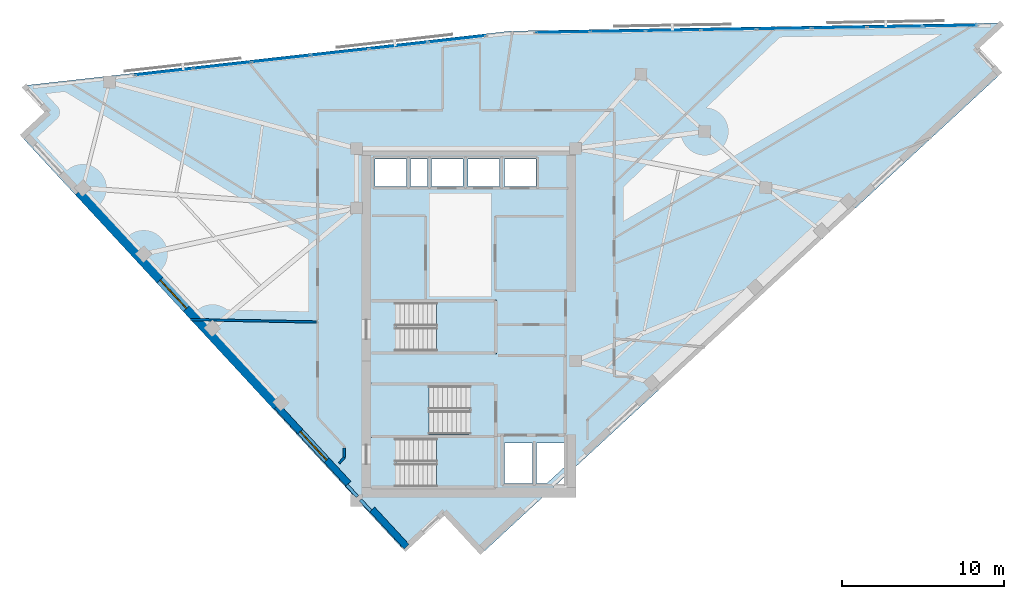
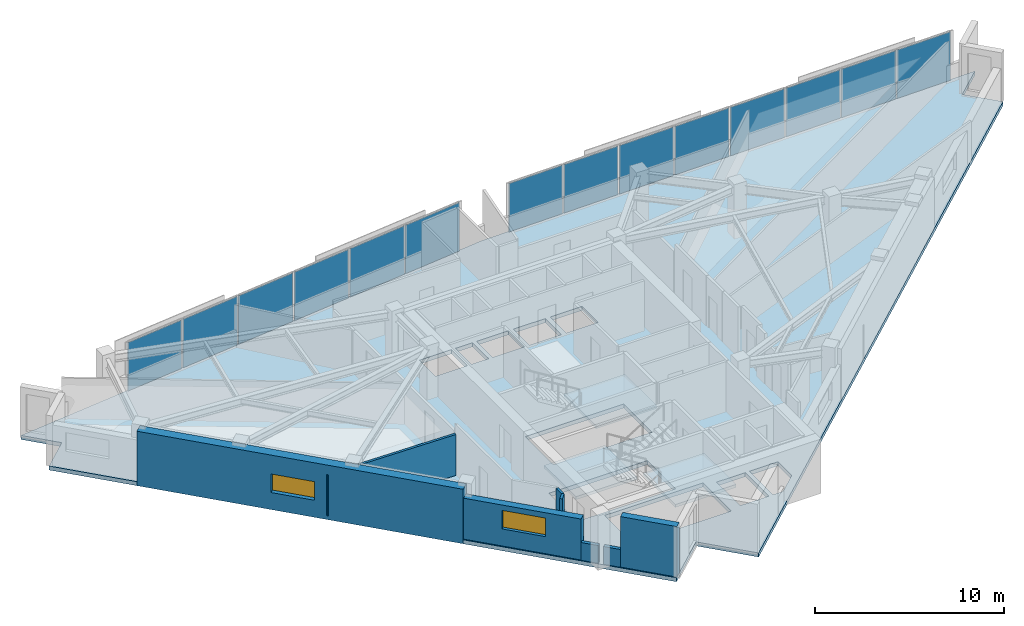
# One storey, part 7 of 13: 14 plates, 8 walls, 4 slabs, 2 windows, 2 openings, 5 elements without a shape of their own.
"""IFC4 building model written with IfcOpenShell, lengths in metres."""

from ifc_helpers import new_model, si_unit, direction, frame, frame_2d, origin, origin_2d, place, context, subcontext, project, spatial, polyline, rectangle, outline, extrude, material, layer, layer_set, type_object, element, fill, aggregate, save


model = new_model("IFC4")

# Units and contexts
model_context = context("Model", 3, precision=1e-05, world=origin(), true_north=direction((0.0, 1.0)))
body_context = subcontext(model_context, "Body", "Model", "MODEL_VIEW")
ifc_project = project(units=[si_unit("LENGTHUNIT", "METRE"), si_unit("AREAUNIT", "SQUARE_METRE"), si_unit("VOLUMEUNIT", "CUBIC_METRE"), si_unit("PLANEANGLEUNIT", "RADIAN"), si_unit("MASSUNIT", "GRAM", prefix="KILO")], contexts=[model_context])

# Site, building, storey
site_placement = place(None, origin())
site = spatial("IfcSite", under=ifc_project, at=site_placement, CompositionType="ELEMENT")
building_placement = place(site_placement, origin())
building = spatial("IfcBuilding", under=site, at=building_placement, Name="Narakoshi Arena Tower", CompositionType="ELEMENT")
storey_placement = place(building_placement, frame((0.0, 0.0, 274.820068359375)))
storey = spatial("IfcBuildingStorey", under=building, at=storey_placement, Name="L75", CompositionType="ELEMENT", Elevation=274.820068359375)

# Curtain wall, plates
ifc_material_1 = material(Name="Anodised bronze aluminium 6063-T6", Category="aluminium")
curtain_wall_type = type_object("IfcCurtainWallType", Name="CW-HYP-HIGH", PredefinedType="NOTDEFINED", material=ifc_material_1)
curtain_wall_1_placement = place(storey_placement, origin())
curtain_wall_1 = element("IfcCurtainWall", 1, at=curtain_wall_1_placement, inside=storey, type_object=curtain_wall_type, Name="L75 Folded Hypotenuse Curtain Wall 1-1", PredefinedType="NOTDEFINED")
ifc_material_2 = material(Name="Bronze-tinted low-E laminated glass", Category="glass")
ifc_layer_1 = layer(ifc_material_2, 0.0439453125)
ifc_layer_set_1 = layer_set([ifc_layer_1], Name="Bronze-tinted low-E laminated glass")
plate_type = type_object("IfcPlateType", Name="PLT-GLZ-44", PredefinedType="CURTAIN_PANEL", material=ifc_layer_set_1)
plate_1_placement = place(storey_placement, frame((108.725341796875, 64.08984375, 0.06494140625), z_axis=(0.0, 0.0, 1.0), x_axis=(-0.999864804777, -0.016442997569, 0.0)))
plate_1 = element("IfcPlate", 2, at=plate_1_placement, type_object=plate_type, Name="CW-03 panel 1.1", PredefinedType="CURTAIN_PANEL", context=body_context, shape_type="SweptSolid", body=[
    extrude(rectangle(XDim=3.307861328125, YDim=0.0439453125, at=origin_2d()), origin(), (0.0, 0.0, 1.0), 3.1298828125),
])
plate_2_placement = place(storey_placement, frame((105.31787109375, 64.033935546875, 0.06494140625), z_axis=(0.0, 0.0, 1.0), x_axis=(-0.999864804777, -0.016442997569, 0.0)))
plate_2 = element("IfcPlate", 3, at=plate_2_placement, type_object=plate_type, Name="CW-03 panel 2.1", PredefinedType="CURTAIN_PANEL", context=body_context, shape_type="SweptSolid", body=[
    extrude(rectangle(XDim=3.34765625, YDim=0.0439453125, at=origin_2d()), origin(), (0.0, 0.0, 1.0), 3.1298828125),
])
plate_3_placement = place(storey_placement, frame((101.890625, 63.9775390625, 0.06494140625), z_axis=(0.0, 0.0, 1.0), x_axis=(-0.999864804777, -0.016442997569, 0.0)))
plate_3 = element("IfcPlate", 4, at=plate_3_placement, type_object=plate_type, Name="CW-03 panel 3.1", PredefinedType="CURTAIN_PANEL", context=body_context, shape_type="SweptSolid", body=[
    extrude(rectangle(XDim=3.34765625, YDim=0.0439453125, at=origin_2d()), origin(), (0.0, 0.0, 1.0), 3.1298828125),
])
plate_4_placement = place(storey_placement, frame((98.46337890625, 63.921142578125, 0.06494140625), z_axis=(0.0, 0.0, 1.0), x_axis=(-0.999864804777, -0.016442997569, 0.0)))
plate_4 = element("IfcPlate", 5, at=plate_4_placement, type_object=plate_type, Name="CW-03 panel 4.1", PredefinedType="CURTAIN_PANEL", context=body_context, shape_type="SweptSolid", body=[
    extrude(rectangle(XDim=3.34765625, YDim=0.0439453125, at=origin_2d()), origin(), (0.0, 0.0, 1.0), 3.1298828125),
])
plate_5_placement = place(storey_placement, frame((95.0361328125, 63.86474609375, 0.06494140625), z_axis=(0.0, 0.0, 1.0), x_axis=(-0.999864804777, -0.016442997569, 0.0)))
plate_5 = element("IfcPlate", 6, at=plate_5_placement, type_object=plate_type, Name="CW-03 panel 5.1", PredefinedType="CURTAIN_PANEL", context=body_context, shape_type="SweptSolid", body=[
    extrude(rectangle(XDim=3.34765625, YDim=0.0439453125, at=origin_2d()), origin(), (0.0, 0.0, 1.0), 3.1298828125),
])
plate_6_placement = place(storey_placement, frame((91.60888671875, 63.808349609375, 0.06494140625), z_axis=(0.0, 0.0, 1.0), x_axis=(-0.999864804777, -0.016442997569, 0.0)))
plate_6 = element("IfcPlate", 7, at=plate_6_placement, type_object=plate_type, Name="CW-03 panel 6.1", PredefinedType="CURTAIN_PANEL", context=body_context, shape_type="SweptSolid", body=[
    extrude(rectangle(XDim=3.34765625, YDim=0.0439453125, at=origin_2d()), origin(), (0.0, 0.0, 1.0), 3.1298828125),
])
plate_7_placement = place(storey_placement, frame((88.181640625, 63.751953125, 0.06494140625), z_axis=(0.0, 0.0, 1.0), x_axis=(-0.999864804777, -0.016442997569, 0.0)))
plate_7 = element("IfcPlate", 8, at=plate_7_placement, type_object=plate_type, Name="CW-03 panel 7.1", PredefinedType="CURTAIN_PANEL", context=body_context, shape_type="SweptSolid", body=[
    extrude(rectangle(XDim=3.34765625, YDim=0.0439453125, at=origin_2d()), origin(), (0.0, 0.0, 1.0), 3.1298828125),
])
plate_8_placement = place(storey_placement, frame((84.774169921875, 63.696044921875, 0.06494140625), z_axis=(0.0, 0.0, 1.0), x_axis=(-0.999864804777, -0.016442997569, 0.0)))
plate_8 = element("IfcPlate", 9, at=plate_8_placement, type_object=plate_type, Name="CW-03 panel 8.1", PredefinedType="CURTAIN_PANEL", context=body_context, shape_type="SweptSolid", body=[
    extrude(rectangle(XDim=3.307861328125, YDim=0.0439453125, at=origin_2d()), origin(), (0.0, 0.0, 1.0), 3.1298828125),
])
aggregate(curtain_wall_1, [plate_1, plate_2, plate_3, plate_4, plate_5, plate_6, plate_7, plate_8])

curtain_wall_2_placement = place(storey_placement, origin())
curtain_wall_2 = element("IfcCurtainWall", 10, at=curtain_wall_2_placement, inside=storey, type_object=curtain_wall_type, Name="L75 Folded Hypotenuse Curtain Wall 2-1", PredefinedType="NOTDEFINED")
plate_9_placement = place(storey_placement, frame((78.222900390625, 63.2705078125, 0.06494140625), z_axis=(0.0, 0.0, 1.0), x_axis=(-0.9937760415, -0.111396496086, 0.0)))
plate_9 = element("IfcPlate", 11, at=plate_9_placement, type_object=plate_type, Name="CW-03 panel 1.1", PredefinedType="CURTAIN_PANEL", context=body_context, shape_type="SweptSolid", body=[
    extrude(rectangle(XDim=3.540283203125, YDim=0.0439453125, at=origin_2d()), origin(), (0.0, 0.0, 1.0), 3.1298828125),
])
plate_10_placement = place(storey_placement, frame((74.605224609375, 62.864990234375, 0.06494140625), z_axis=(0.0, 0.0, 1.0), x_axis=(-0.9937760415, -0.111396496086, 0.0)))
plate_10 = element("IfcPlate", 12, at=plate_10_placement, type_object=plate_type, Name="CW-03 panel 2.1", PredefinedType="CURTAIN_PANEL", context=body_context, shape_type="SweptSolid", body=[
    extrude(rectangle(XDim=3.580322265625, YDim=0.0439453125, at=origin_2d()), origin(), (0.0, 0.0, 1.0), 3.1298828125),
])
plate_11_placement = place(storey_placement, frame((70.967529296875, 62.45703125, 0.06494140625), z_axis=(0.0, 0.0, 1.0), x_axis=(-0.9937760415, -0.111396496086, 0.0)))
plate_11 = element("IfcPlate", 13, at=plate_11_placement, type_object=plate_type, Name="CW-03 panel 3.1", PredefinedType="CURTAIN_PANEL", context=body_context, shape_type="SweptSolid", body=[
    extrude(rectangle(XDim=3.580322265625, YDim=0.0439453125, at=origin_2d()), origin(), (0.0, 0.0, 1.0), 3.1298828125),
])
plate_12_placement = place(storey_placement, frame((67.330078125, 62.04931640625, 0.06494140625), z_axis=(0.0, 0.0, 1.0), x_axis=(-0.9937760415, -0.111396496086, 0.0)))
plate_12 = element("IfcPlate", 14, at=plate_12_placement, type_object=plate_type, Name="CW-03 panel 4.1", PredefinedType="CURTAIN_PANEL", context=body_context, shape_type="SweptSolid", body=[
    extrude(rectangle(XDim=3.580322265625, YDim=0.0439453125, at=origin_2d()), origin(), (0.0, 0.0, 1.0), 3.1298828125),
])
plate_13_placement = place(storey_placement, frame((63.6923828125, 61.6416015625, 0.06494140625), z_axis=(0.0, 0.0, 1.0), x_axis=(-0.9937760415, -0.111396496086, 0.0)))
plate_13 = element("IfcPlate", 15, at=plate_13_placement, type_object=plate_type, Name="CW-03 panel 5.1", PredefinedType="CURTAIN_PANEL", context=body_context, shape_type="SweptSolid", body=[
    extrude(rectangle(XDim=3.580322265625, YDim=0.0439453125, at=origin_2d()), origin(), (0.0, 0.0, 1.0), 3.1298828125),
])
plate_14_placement = place(storey_placement, frame((60.07470703125, 61.236083984375, 0.06494140625), z_axis=(0.0, 0.0, 1.0), x_axis=(-0.9937760415, -0.111396496086, 0.0)))
plate_14 = element("IfcPlate", 16, at=plate_14_placement, type_object=plate_type, Name="CW-03 panel 6.1", PredefinedType="CURTAIN_PANEL", context=body_context, shape_type="SweptSolid", body=[
    extrude(rectangle(XDim=3.540283203125, YDim=0.0439453125, at=origin_2d()), origin(), (0.0, 0.0, 1.0), 3.1298828125),
])
aggregate(curtain_wall_2, [plate_9, plate_10, plate_11, plate_12, plate_13, plate_14])

# Stair, slab
ifc_material_3 = material(Name="Concrete C45/55", Category="concrete")
stair_type = type_object("IfcStairType", Name="STR-CORE-352", PredefinedType="TWO_STRAIGHT_RUN_STAIR", material=ifc_material_3)
stair_1_placement = place(storey_placement, origin())
stair_1 = element("IfcStair", 17, at=stair_1_placement, inside=storey, type_object=stair_type, Name="L75 Core Escape Stair ST1", PredefinedType="TWO_STRAIGHT_RUN_STAIR")
ifc_layer_2 = layer(ifc_material_3, 0.18994140625)
ifc_layer_set_2 = layer_set([ifc_layer_2], Name="Concrete C45/55")
slab_type_1 = type_object("IfcSlabType", Name="SLB-LND-190", PredefinedType="LANDING", material=ifc_layer_set_2)
slab_1_placement = place(storey_placement, frame((0.0, 0.0, 1.56982421875)))
slab_1 = element("IfcSlab", 18, at=slab_1_placement, type_object=slab_type_1, Name="ST1 landing 1", PredefinedType="LANDING", context=body_context, shape_type="SweptSolid", body=[
    extrude(outline(polyline([(76.965087890625, 35.3701171875), (80.679931640625, 35.3701171875), (80.679931640625, 38.72998046875), (76.965087890625, 38.72998046875), (76.965087890625, 35.3701171875)])), origin(), (0.0, 0.0, 1.0), 0.190185546875),
])
aggregate(stair_1, [slab_1])

stair_2_placement = place(storey_placement, origin())
stair_2 = element("IfcStair", 19, at=stair_2_placement, inside=storey, type_object=stair_type, Name="L75 Core Escape Stair ST2", PredefinedType="TWO_STRAIGHT_RUN_STAIR")
slab_2_placement = place(storey_placement, frame((0.0, 0.0, 1.56982421875)))
slab_2 = element("IfcSlab", 20, at=slab_2_placement, type_object=slab_type_1, Name="ST2 landing 1", PredefinedType="LANDING", context=body_context, shape_type="SweptSolid", body=[
    extrude(outline(polyline([(72.77001953125, 38.6201171875), (76.485107421875, 38.6201171875), (76.485107421875, 41.97998046875), (72.77001953125, 41.97998046875), (72.77001953125, 38.6201171875)])), origin(), (0.0, 0.0, 1.0), 0.190185546875),
])
aggregate(stair_2, [slab_2])

stair_3_placement = place(storey_placement, origin())
stair_3 = element("IfcStair", 21, at=stair_3_placement, inside=storey, type_object=stair_type, Name="L75 Core Escape Stair ST3", PredefinedType="TWO_STRAIGHT_RUN_STAIR")
slab_3_placement = place(storey_placement, frame((0.0, 0.0, 1.56982421875)))
slab_3 = element("IfcSlab", 22, at=slab_3_placement, type_object=slab_type_1, Name="ST3 landing 1", PredefinedType="LANDING", context=body_context, shape_type="SweptSolid", body=[
    extrude(outline(polyline([(76.965087890625, 43.77001953125), (80.679931640625, 43.77001953125), (80.679931640625, 47.1298828125), (76.965087890625, 47.1298828125), (76.965087890625, 43.77001953125)])), origin(), (0.0, 0.0, 1.0), 0.190185546875),
])
aggregate(stair_3, [slab_3])

# Slab
ifc_material_4 = material(Name="Concrete C50/60", Category="concrete")
ifc_layer_3 = layer(ifc_material_4, 0.260009765625)
ifc_layer_set_3 = layer_set([ifc_layer_3], Name="Concrete C50/60")
slab_type_2 = type_object("IfcSlabType", Name="SLB-SKY-260", PredefinedType="FLOOR", material=ifc_layer_set_3)
slab_4_placement = place(storey_placement, frame((0.0, 0.0, -0.260009765625)))
element("IfcSlab", 23, at=slab_4_placement, inside=storey, type_object=slab_type_2, Name="L75 Structural Floor Slab", PredefinedType="FLOOR", context=body_context, shape_type="SweptSolid", body=[
    extrude(outline(polyline([(79.8056640625, 31.47216796875), (111.83154296875, 61.076416015625), (110.30078125, 62.732421875), (111.956787109375, 64.26318359375), (81.538818359375, 63.7626953125), (51.42333984375, 60.38720703125), (52.9541015625, 58.731201171875), (51.298095703125, 57.200439453125), (74.9033203125, 31.664794921875), (77.45068359375, 34.01953125), (79.8056640625, 31.47216796875)]), holes=[polyline([(80.5, 35.550048828125), (74.47998046875, 35.550048828125), (74.47998046875, 38.550048828125), (80.5, 38.550048828125), (80.5, 35.550048828125)]), polyline([(82.89990234375, 35.75), (81.14990234375, 35.75), (81.14990234375, 38.25), (82.89990234375, 38.25), (82.89990234375, 35.75)]), polyline([(84.89990234375, 36.794189453125), (83.7705078125, 35.75), (83.14990234375, 35.75), (83.14990234375, 38.25), (84.89990234375, 38.25), (84.89990234375, 36.794189453125)]), polyline([(72.949951171875, 38.800048828125), (72.949951171875, 41.800048828125), (78.969970703125, 41.800048828125), (78.969970703125, 38.800048828125), (72.949951171875, 38.800048828125)]), polyline([(74.47998046875, 43.949951171875), (74.47998046875, 46.949951171875), (80.5, 46.949951171875), (80.5, 43.949951171875), (74.47998046875, 43.949951171875)]), polyline([(75.10009765625, 54.14990234375), (73.14990234375, 54.14990234375), (73.14990234375, 55.85009765625), (75.10009765625, 55.85009765625), (75.10009765625, 54.14990234375)]), polyline([(76.39990234375, 54.14990234375), (75.35009765625, 54.14990234375), (75.35009765625, 55.85009765625), (76.39990234375, 55.85009765625), (76.39990234375, 54.14990234375)]), polyline([(78.60009765625, 54.14990234375), (76.64990234375, 54.14990234375), (76.64990234375, 55.85009765625), (78.60009765625, 55.85009765625), (78.60009765625, 54.14990234375)]), polyline([(78.89990234375, 54.14990234375), (78.89990234375, 55.85009765625), (80.85009765625, 55.85009765625), (80.85009765625, 54.14990234375), (78.89990234375, 54.14990234375)]), polyline([(81.14990234375, 54.14990234375), (81.14990234375, 55.85009765625), (83.10009765625, 55.85009765625), (83.10009765625, 54.14990234375), (81.14990234375, 54.14990234375)])]), origin(), (0.0, 0.0, 1.0), 0.260009765625),
])

# Wall, opening, window
ifc_layer_4 = layer(ifc_material_4, 0.550048828125)
ifc_layer_set_4 = layer_set([ifc_layer_4], Name="Concrete C50/60")
wall_type_1 = type_object("IfcWallType", Name="WL-LEG-550", PredefinedType="SHEAR", material=ifc_layer_set_4)
wall_1_placement = place(storey_placement, frame((54.804931640625, 53.81201171875, -0.260009765625), z_axis=(0.0, 0.0, 1.0), x_axis=(0.678803115619, -0.734320318543, 0.0)))
wall_1 = element("IfcWall", 24, at=wall_1_placement, inside=storey, type_object=wall_type_1, Name="L75 Architectural Concrete Structural Wall LEGB-2", PredefinedType="SHEAR", context=body_context, shape_type="SweptSolid", body=[
    extrude(rectangle(XDim=18.082763671875, YDim=0.550048828125, at=frame_2d((9.04150390625, 0.0))), origin(), (0.0, 0.0, 1.0), 3.52001953125),
])
opening_1_placement = place(wall_1_placement, frame((7.434326171875, 0.0, 1.10009765625)))
opening_1 = element("IfcOpeningElement", 25, at=opening_1_placement, cuts=wall_1, Name="Opening WN-04", PredefinedType="OPENING", context=body_context, shape_type="SweptSolid", body=[
    extrude(rectangle(XDim=2.39990234375, YDim=1.199951171875, at=frame_2d((1.199951171875, 0.60009765625))), frame((0.0, 0.284912109375, 0.0), z_axis=(0.0, -1.0, 0.0), x_axis=(1.0, 0.0, 0.0)), (0.0, 0.0, 1.0), 0.570068359375),
])
window_type = type_object("IfcWindowType", Name="WIN-SLT-24x12", PartitioningType="SINGLE_PANEL", PredefinedType="WINDOW", material=ifc_material_2)
window_1_placement = place(opening_1_placement, origin())
window_1 = element("IfcWindow", 26, at=window_1_placement, inside=storey, type_object=window_type, Name="L75 LEGB2 Horizontal Slot Window 1", OverallHeight=1.199951171875, OverallWidth=2.39990234375, PartitioningType="SINGLE_PANEL", PredefinedType="WINDOW", context=body_context, shape_type="SweptSolid", body=[
    extrude(rectangle(XDim=2.39990234375, YDim=1.199951171875, at=frame_2d((1.199951171875, 0.60009765625))), frame((0.0, 0.030029296875, 0.0), z_axis=(0.0, -1.0, 0.0), x_axis=(1.0, 0.0, 0.0)), (0.0, 0.0, 1.0), 0.06005859375),
])
fill(opening_1, window_1)

# Walls
ifc_material_5 = material(Name="Precast concrete C45/55", Category="concrete")
ifc_layer_5 = layer(ifc_material_5, 0.25)
ifc_layer_set_5 = layer_set([ifc_layer_5], Name="Precast concrete C45/55")
wall_type_2 = type_object("IfcWallType", Name="WL-PARA-250", PredefinedType="PARAPET", material=ifc_layer_set_5)
wall_2_placement = place(storey_placement, frame((72.881103515625, 34.058349609375, 0.0), z_axis=(0.0, 0.0, 1.0), x_axis=(-0.678651758246, 0.734460203843, 0.0)))
element("IfcWall", 27, at=wall_2_placement, inside=storey, type_object=wall_type_2, Name="L75 Crown Sill Upstand Parapet 01", PredefinedType="PARAPET", context=body_context, shape_type="SweptSolid", body=[
    extrude(rectangle(XDim=0.927490234375, YDim=0.199951171875, at=frame_2d((0.4638671875, 0.0))), origin(), (0.0, 0.0, 1.0), 1.14990234375),
])
wall_3_placement = place(storey_placement, frame((72.05908203125, 34.94775390625, 0.0), z_axis=(0.0, 0.0, 1.0), x_axis=(-0.678740051818, 0.734378609478, 0.0)))
element("IfcWall", 28, at=wall_3_placement, inside=storey, type_object=wall_type_2, Name="L75 Crown Sill Upstand Parapet 02", PredefinedType="PARAPET", context=body_context, shape_type="SweptSolid", body=[
    extrude(rectangle(XDim=0.9697265625, YDim=0.199951171875, at=frame_2d((0.48486328125, 0.0))), origin(), (0.0, 0.0, 1.0), 1.14990234375),
])

# Wall, opening, window
ifc_layer_6 = layer(ifc_material_5, 0.419921875)
ifc_layer_set_6 = layer_set([ifc_layer_6], Name="Precast concrete C45/55")
wall_type_3 = type_object("IfcWallType", Name="WL-POD-420", PredefinedType="SOLIDWALL", material=ifc_layer_set_6)
wall_4_placement = place(storey_placement, frame((67.07958984375, 40.533447265625, 0.0), z_axis=(0.0, 0.0, 1.0), x_axis=(0.678800006437, -0.734323192648, 0.0)))
wall_4 = element("IfcWall", 29, at=wall_4_placement, inside=storey, type_object=wall_type_3, Name="L75 Architectural Concrete Facade Wall LEGB-3", PredefinedType="SOLIDWALL", context=body_context, shape_type="SweptSolid", body=[
    extrude(rectangle(XDim=6.51220703125, YDim=0.419921875, at=frame_2d((3.256103515625, 0.0))), origin(), (0.0, 0.0, 1.0), 2.64501953125),
])
opening_2_placement = place(wall_4_placement, frame((2.128662109375, 0.0, 1.10009765625)))
opening_2 = element("IfcOpeningElement", 30, at=opening_2_placement, cuts=wall_4, Name="Opening WN-04", PredefinedType="OPENING", context=body_context, shape_type="SweptSolid", body=[
    extrude(rectangle(XDim=2.39990234375, YDim=1.199951171875, at=frame_2d((1.199951171875, 0.60009765625))), frame((0.0, 0.219970703125, 0.0), z_axis=(0.0, -1.0, 0.0), x_axis=(1.0, 0.0, 0.0)), (0.0, 0.0, 1.0), 0.43994140625),
])
window_2_placement = place(opening_2_placement, origin())
window_2 = element("IfcWindow", 31, at=window_2_placement, inside=storey, type_object=window_type, Name="L75 LEGB3 Horizontal Slot Window 1", OverallHeight=1.199951171875, OverallWidth=2.39990234375, PartitioningType="SINGLE_PANEL", PredefinedType="WINDOW", context=body_context, shape_type="SweptSolid", body=[
    extrude(rectangle(XDim=2.39990234375, YDim=1.199951171875, at=frame_2d((1.199951171875, 0.60009765625))), frame((0.0, 0.030029296875, 0.0), z_axis=(0.0, -1.0, 0.0), x_axis=(1.0, 0.0, 0.0)), (0.0, 0.0, 1.0), 0.06005859375),
])
fill(opening_2, window_2)

# Walls
wall_5_placement = place(storey_placement, frame((72.980224609375, 34.14990234375, 0.0), z_axis=(0.0, 0.0, 1.0), x_axis=(0.67879500555, -0.73432781538, 0.0)))
element("IfcWall", 32, at=wall_5_placement, inside=storey, type_object=wall_type_3, Name="L75 Architectural Concrete Facade Wall LEGB-4", PredefinedType="SOLIDWALL", context=body_context, shape_type="SweptSolid", body=[
    extrude(rectangle(XDim=3.130126953125, YDim=0.419921875, at=frame_2d((1.56494140625, 0.0))), origin(), (0.0, 0.0, 1.0), 3.260009765625),
])
ifc_material_6 = material(Name="Moisture-resistant cement-board partition")
ifc_layer_7 = layer(ifc_material_6, 0.14501953125)
ifc_layer_set_7 = layer_set([ifc_layer_7], Name="Moisture-resistant cement-board partition")
wall_type_4 = type_object("IfcWallType", Name="WL-WET-145", PredefinedType="PARTITIONING", material=ifc_layer_set_7)
wall_6_placement = place(storey_placement, frame((61.739990234375, 45.90478515625, 0.0), z_axis=(0.0, 0.0, 1.0), x_axis=(0.999812998424, -0.01933825694, 0.0)))
element("IfcWall", 33, at=wall_6_placement, inside=storey, type_object=wall_type_4, Name="L75 Inter-Room Partition 01-08", PredefinedType="PARTITIONING", context=body_context, shape_type="SweptSolid", body=[
    extrude(rectangle(XDim=7.77685546875, YDim=0.14501953125, at=frame_2d((3.888427734375, 0.0))), origin(), (0.0, 0.0, 1.0), 2.64501953125),
])
wall_7_placement = place(storey_placement, frame((71.25, 37.958984375, 0.0), z_axis=(0.0, 0.0, 1.0), x_axis=(0.0, -1.0, 0.0)))
element("IfcWall", 34, at=wall_7_placement, inside=storey, type_object=wall_type_4, Name="L75 Room Enclosure Partition 01-1", PredefinedType="PARTITIONING", context=body_context, shape_type="SweptSolid", body=[
    extrude(rectangle(XDim=0.594970703125, YDim=0.14501953125, at=frame_2d((0.29736328125, 0.0))), origin(), (0.0, 0.0, 1.0), 3.260009765625),
])
wall_8_placement = place(storey_placement, frame((71.25, 37.364013671875, 0.0), z_axis=(0.0, 0.0, 1.0), x_axis=(-0.674784943502, -0.738014417219, 0.0)))
element("IfcWall", 35, at=wall_8_placement, inside=storey, type_object=wall_type_4, Name="L75 Room Enclosure Partition 01-2", PredefinedType="PARTITIONING", context=body_context, shape_type="SweptSolid", body=[
    extrude(rectangle(XDim=0.482666015625, YDim=0.14501953125, at=frame_2d((0.2412109375, 0.0))), origin(), (0.0, 0.0, 1.0), 3.260009765625),
])

save(model, "model.ifc")
